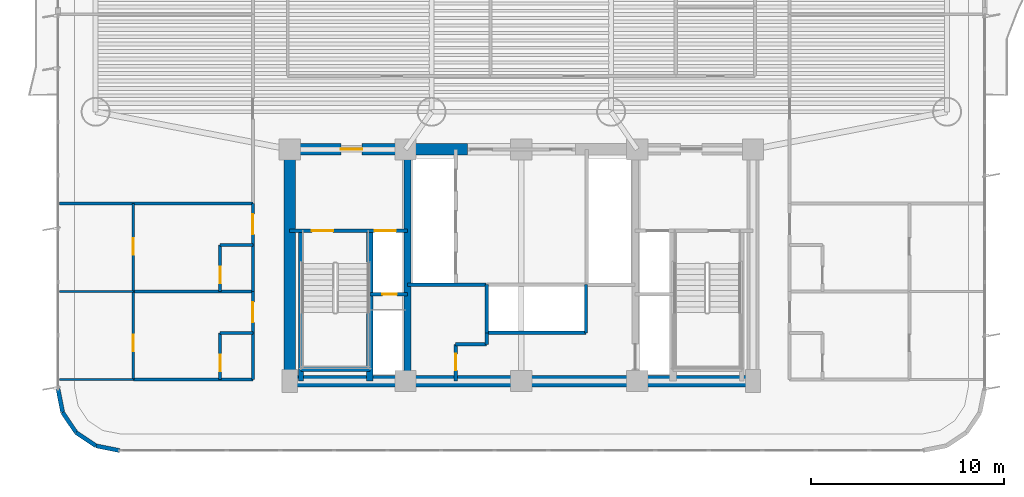
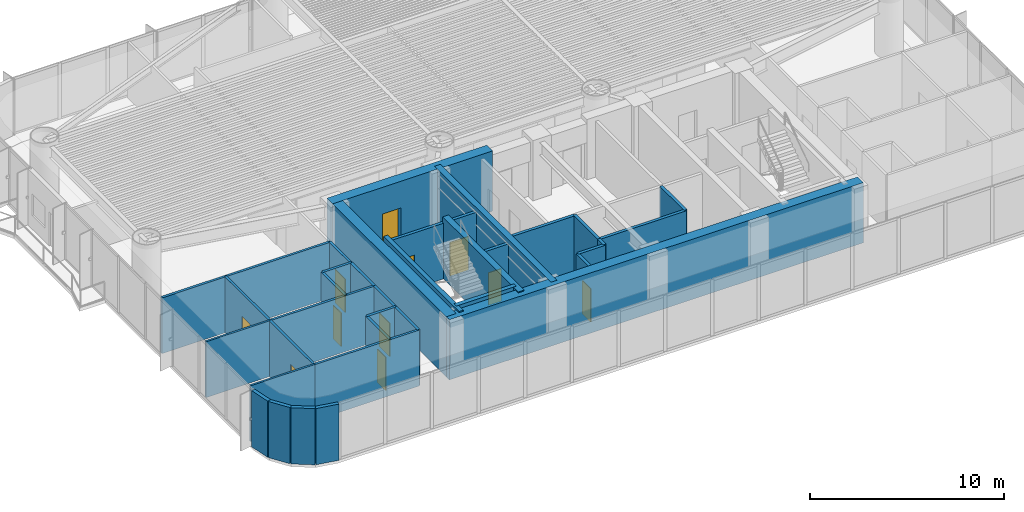
# One storey, part 10 of 17: 35 walls, 11 doors, 11 openings.
"""IFC4 building model written with IfcOpenShell, lengths in metres."""

from ifc_helpers import new_model, si_unit, direction, frame, frame_2d, origin, origin_2d, place, context, subcontext, project, spatial, rectangle, extrude, source, transform, mapped, material, layer, layer_set, type_object, element, fill, save


model = new_model("IFC4")

# Units and contexts
model_context = context("Model", 3, precision=1e-05, world=origin(), true_north=direction((0.0, 1.0)))
body_context = subcontext(model_context, "Body", "Model", "MODEL_VIEW")
ifc_project = project(units=[si_unit("LENGTHUNIT", "METRE"), si_unit("AREAUNIT", "SQUARE_METRE"), si_unit("VOLUMEUNIT", "CUBIC_METRE"), si_unit("PLANEANGLEUNIT", "RADIAN"), si_unit("MASSUNIT", "GRAM", prefix="KILO")], contexts=[model_context])

# Site, building, storey
site_placement = place(None, origin())
site = spatial("IfcSite", under=ifc_project, at=site_placement, CompositionType="ELEMENT")
building_placement = place(site_placement, origin())
building = spatial("IfcBuilding", under=site, at=building_placement, Name="Brelvock Crest Care Tower", CompositionType="ELEMENT")
storey_placement = place(building_placement, frame((0.0, 0.0, 49.679931640625)))
storey = spatial("IfcBuildingStorey", under=building, at=storey_placement, Name="L12", CompositionType="ELEMENT", Elevation=49.679931640625)

# Walls
ifc_material_1 = material(Name="Concrete S80 (80 MPa)", Category="concrete")
ifc_layer_1 = layer(ifc_material_1, 0.60009765625, Name="WL-CS1")
ifc_layer_set_1 = layer_set([ifc_layer_1], Name="Concrete S80 (80 MPa)")
wall_type_1 = type_object("IfcWallType", Name="WL-CS1", PredefinedType="SHEAR", material=ifc_layer_set_1)
wall_1_placement = place(storey_placement, frame((48.300048828125, 6.0, 0.0), z_axis=(0.0, 0.0, 1.0), x_axis=(-1.0, 0.0, 0.0)))
element("IfcWall", 1, at=wall_1_placement, inside=storey, type_object=wall_type_1, Name="L12 Core South Shear Wall", PredefinedType="SHEAR", context=body_context, shape_type="SweptSolid", body=[
    extrude(rectangle(XDim=24.60009765625, YDim=0.60009765625, at=frame_2d((12.300048828125, 0.0))), origin(), (0.0, 0.0, 1.0), 3.780029296875),
])
wall_2_placement = place(storey_placement, frame((24.0, 6.0, 0.0), z_axis=(0.0, 0.0, 1.0), x_axis=(0.0, 1.0, 0.0)))
element("IfcWall", 2, at=wall_2_placement, inside=storey, type_object=wall_type_1, Name="L12 Core West Shear Wall", PredefinedType="SHEAR", context=body_context, shape_type="SweptSolid", body=[
    extrude(rectangle(XDim=12.0, YDim=0.60009765625, at=frame_2d((6.0, 0.0))), origin(), (0.0, 0.0, 1.0), 3.780029296875),
])

# Wall, opening, door
wall_3_placement = place(storey_placement, frame((23.699951171875, 18.0, 0.0), z_axis=(0.0, 0.0, 1.0), x_axis=(1.0, 0.0, 0.0)))
wall_3 = element("IfcWall", 3, at=wall_3_placement, inside=storey, type_object=wall_type_1, Name="L12 Core North-West Shear Wall", PredefinedType="SHEAR", context=body_context, shape_type="SweptSolid", body=[
    extrude(rectangle(XDim=9.5, YDim=0.60009765625, at=frame_2d((4.75, 0.0))), origin(), (0.0, 0.0, 1.0), 3.780029296875),
])
opening_1_placement = place(wall_3_placement, frame((2.949951171875, 0.0, 0.0)))
opening_1 = element("IfcOpeningElement", 4, at=opening_1_placement, cuts=wall_3, Name="Opening FD-1", PredefinedType="OPENING", context=body_context, shape_type="SweptSolid", body=[
    extrude(rectangle(XDim=1.10009765625, YDim=2.10009765625, at=origin_2d()), frame((0.550048828125, 0.31005859375, 1.050048828125), z_axis=(0.0, -1.0, 0.0), x_axis=(1.0, 0.0, 0.0)), (0.0, 0.0, 1.0), 0.6201171875),
])
ifc_material_2 = material(Name="Steel Grade 350", Category="steel")
door_type_1 = type_object("IfcDoorType", Name="DR-FFL1", OperationType="NOTDEFINED", PredefinedType="DOOR", material=ifc_material_2)
shared_shape_1 = source(origin(), body_context, "Body", "SweptSolid", [
    extrude(rectangle(XDim=1.10009765625, YDim=2.10009765625, at=origin_2d()), frame((0.550048828125, 0.02490234375, 1.050048828125), z_axis=(0.0, -1.0, 0.0), x_axis=(1.0, 0.0, 0.0)), (0.0, 0.0, 1.0), 0.050048828125),
])
door_1_placement = place(opening_1_placement, origin())
door_1 = element("IfcDoor", 5, at=door_1_placement, inside=storey, type_object=door_type_1, Name="L12 Firefighting Lobby FFL-1 Exit Door", OperationType="SINGLE_SWING_LEFT", OverallHeight=2.10009765625, OverallWidth=1.10009765625, PredefinedType="DOOR", context=body_context, shape_type="MappedRepresentation", body=[
    mapped(shared_shape_1, transform((0.0, 0.0, 0.0), x_axis=(1.0, 0.0, 0.0), y_axis=(0.0, 1.0, 0.0), z_axis=(0.0, 0.0, 1.0), scale=1.0)),
])
fill(opening_1, door_1)

# Walls
ifc_layer_2 = layer(ifc_material_1, 0.35009765625, Name="WL-CS5")
ifc_layer_set_2 = layer_set([ifc_layer_2], Name="Concrete S80 (80 MPa)")
wall_type_2 = type_object("IfcWallType", Name="WL-CS5", PredefinedType="SHEAR", material=ifc_layer_set_2)
wall_4_placement = place(storey_placement, frame((30.10009765625, 6.0, 0.0), z_axis=(0.0, 0.0, 1.0), x_axis=(0.0, 1.0, 0.0)))
element("IfcWall", 6, at=wall_4_placement, inside=storey, type_object=wall_type_2, Name="L12 Core Internal Web Wall West", PredefinedType="SHEAR", context=body_context, shape_type="SweptSolid", body=[
    extrude(rectangle(XDim=12.0, YDim=0.35009765625, at=frame_2d((6.0, 0.0))), origin(), (0.0, 0.0, 1.0), 3.780029296875),
])
wall_5_placement = place(storey_placement, frame((28.14990234375, 6.0, 0.0), z_axis=(0.0, 0.0, 1.0), x_axis=(0.0, 1.0, 0.0)))
element("IfcWall", 7, at=wall_5_placement, inside=storey, type_object=wall_type_2, Name="L12 Core Stair ST-1 East Shear Wall", PredefinedType="SHEAR", context=body_context, shape_type="SweptSolid", body=[
    extrude(rectangle(XDim=7.780029296875, YDim=0.35009765625, at=frame_2d((3.89013671875, 0.0))), origin(), (0.0, 0.0, 1.0), 3.85009765625),
])
ifc_layer_3 = layer(ifc_material_1, 0.25, Name="WL-CS6")
ifc_layer_set_3 = layer_set([ifc_layer_3], Name="Concrete S80 (80 MPa)")
wall_type_3 = type_object("IfcWallType", Name="WL-CS6", PredefinedType="SHEAR", material=ifc_layer_set_3)
wall_6_placement = place(storey_placement, frame((24.580078125, 6.0, 0.0), z_axis=(0.0, 0.0, 1.0), x_axis=(0.0, 1.0, 0.0)))
element("IfcWall", 8, at=wall_6_placement, inside=storey, type_object=wall_type_3, Name="L12 Core Stair ST-1 West Shear Wall", PredefinedType="SHEAR", context=body_context, shape_type="SweptSolid", body=[
    extrude(rectangle(XDim=7.780029296875, YDim=0.25, at=frame_2d((3.89013671875, 0.0))), origin(), (0.0, 0.0, 1.0), 3.85009765625),
])
wall_7_placement = place(storey_placement, frame((24.580078125, 6.6201171875, 0.0), z_axis=(0.0, 0.0, 1.0), x_axis=(1.0, 0.0, 0.0)))
element("IfcWall", 9, at=wall_7_placement, inside=storey, type_object=wall_type_3, Name="L12 Core Stair ST-1 South Shear Wall", PredefinedType="SHEAR", context=body_context, shape_type="SweptSolid", body=[
    extrude(rectangle(XDim=3.56982421875, YDim=0.25, at=frame_2d((1.784912109375, 0.0))), origin(), (0.0, 0.0, 1.0), 3.85009765625),
])
ifc_material_3 = material(Name="Precast concrete N40 (40 MPa)", Category="concrete")
ifc_layer_4 = layer(ifc_material_3, 0.215087890625, Name="WL-EX2")
ifc_layer_set_4 = layer_set([ifc_layer_4], Name="Precast concrete N40 (40 MPa)")
wall_type_4 = type_object("IfcWallType", Name="WL-EX2", PredefinedType="SOLIDWALL", material=ifc_layer_set_4)
for number, where, z_axis, x_axis, name in (
    (10, (15.199951171875, 2.39990234375, 0.0), (0.0, 0.0, 1.0), (-0.980775717779, 0.195138390419, 0.0), "L12 Rounded Corner Wall 09"),
    (11, (13.975341796875, 2.6435546875, 0.0), (0.0, 0.0, 1.0), (-0.831387912822, 0.555692485475, 0.0), "L12 Rounded Corner Wall 10"),
    (12, (12.937255859375, 3.33740234375, 0.0), (0.0, 0.0, 1.0), (-0.555557312883, 0.831478245117, 0.0), "L12 Rounded Corner Wall 11"),
    (13, (12.24365234375, 4.37548828125, 0.0), (0.0, 0.0, 1.0), (-0.195138390419, 0.980775717779, 0.0), "L12 Rounded Corner Wall 12"),
):
    element("IfcWall", number, at=place(storey_placement, frame(where, z_axis=z_axis, x_axis=x_axis)), inside=storey, type_object=wall_type_4, Name=name, PredefinedType="SOLIDWALL", context=body_context, shape_type="SweptSolid", body=[
        extrude(rectangle(XDim=1.24853515625, YDim=0.215087890625, at=frame_2d((0.624267578125, 0.0))), origin(), (0.0, 0.0, 1.0), 3.530029296875),
    ])
ifc_material_4 = material(Name="Masonry Blockwork Acoustic Partition", Category="masonry")
ifc_layer_5 = layer(ifc_material_4, 0.14990234375, Name="WL-INT1")
ifc_layer_set_5 = layer_set([ifc_layer_5], Name="Masonry Blockwork Acoustic Partition")
wall_type_5 = type_object("IfcWallType", Name="WL-INT1", PredefinedType="PARTITIONING", material=ifc_layer_set_5)
for number, where, z_axis, x_axis, name in (
    (14, (15.89990234375, 6.080078125, 0.0), (0.0, 0.0, 1.0), (1.0, 0.0, 0.0), "L12 Interior Wall WL-BX-L12-CS-WR1A-S"),
    (15, (15.89990234375, 10.639892578125, 0.0), (0.0, 0.0, 1.0), (1.0, 0.0, 0.0), "L12 Interior Wall WL-BX-L12-CS-WR1A-N"),
):
    element("IfcWall", number, at=place(storey_placement, frame(where, z_axis=z_axis, x_axis=x_axis)), inside=storey, type_object=wall_type_5, Name=name, PredefinedType="PARTITIONING", context=body_context, shape_type="SweptSolid", body=[
        extrude(rectangle(XDim=6.2001953125, YDim=0.14990234375, at=frame_2d((3.10009765625, 0.0))), origin(), (0.0, 0.0, 1.0), 3.5),
    ])
wall_8_placement = place(storey_placement, frame((12.080078125, 15.199951171875, 0.0), z_axis=(0.0, 0.0, 1.0), x_axis=(1.0, 0.0, 0.0)))
element("IfcWall", 16, at=wall_8_placement, inside=storey, type_object=wall_type_5, Name="L12 Interior Wall WL-BX-L12-WCL2-S", PredefinedType="PARTITIONING", context=body_context, shape_type="SweptSolid", body=[
    extrude(rectangle(XDim=10.02001953125, YDim=0.14990234375, at=frame_2d((5.010009765625, 0.0))), origin(), (0.0, 0.0, 1.0), 3.5),
])

# Wall, opening, door
wall_9_placement = place(storey_placement, frame((15.89990234375, 6.080078125, 0.0), z_axis=(0.0, 0.0, 1.0), x_axis=(0.0, 1.0, 0.0)))
wall_9 = element("IfcWall", 17, at=wall_9_placement, inside=storey, type_object=wall_type_5, Name="L12 Interior Wall WL-RM-L12-WR1AS", PredefinedType="PARTITIONING", context=body_context, shape_type="SweptSolid", body=[
    extrude(rectangle(XDim=4.559814453125, YDim=0.14990234375, at=frame_2d((2.27978515625, 0.0))), origin(), (0.0, 0.0, 1.0), 3.5),
])
opening_2_placement = place(wall_9_placement, frame((1.4599609375, 0.0, 0.0)))
opening_2 = element("IfcOpeningElement", 18, at=opening_2_placement, cuts=wall_9, Name="Opening ID-1", PredefinedType="OPENING", context=body_context, shape_type="SweptSolid", body=[
    extrude(rectangle(XDim=0.860107421875, YDim=2.10009765625, at=origin_2d()), frame((0.43017578125, 0.0849609375, 1.050048828125), z_axis=(0.0, -1.0, 0.0), x_axis=(1.0, 0.0, 0.0)), (0.0, 0.0, 1.0), 0.169921875),
])
ifc_material_5 = material(Name="Engineered Hardwood Timber", Category="wood")
door_type_2 = type_object("IfcDoorType", Name="DR-INT1", OperationType="NOTDEFINED", PredefinedType="DOOR", material=ifc_material_5)
shared_shape_2 = source(origin(), body_context, "Body", "SweptSolid", [
    extrude(rectangle(XDim=0.860107421875, YDim=2.10009765625, at=origin_2d()), frame((0.43017578125, 0.02490234375, 1.050048828125), z_axis=(0.0, -1.0, 0.0), x_axis=(1.0, 0.0, 0.0)), (0.0, 0.0, 1.0), 0.050048828125),
])
door_2_placement = place(opening_2_placement, origin())
door_2 = element("IfcDoor", 19, at=door_2_placement, inside=storey, type_object=door_type_2, Name="L12 Rehab Recovery Mobility Store Door WR1AS", OperationType="SINGLE_SWING_LEFT", OverallHeight=2.10009765625, OverallWidth=0.860107421875, PredefinedType="DOOR", context=body_context, shape_type="MappedRepresentation", body=[
    mapped(shared_shape_2, transform((0.0, 0.0, 0.0), x_axis=(1.0, 0.0, 0.0), y_axis=(0.0, 1.0, 0.0), z_axis=(0.0, 0.0, 1.0), scale=1.0)),
])
fill(opening_2, door_2)

wall_10_placement = place(storey_placement, frame((15.89990234375, 10.639892578125, 0.0), z_axis=(0.0, 0.0, 1.0), x_axis=(0.0, 1.0, 0.0)))
wall_10 = element("IfcWall", 20, at=wall_10_placement, inside=storey, type_object=wall_type_5, Name="L12 Interior Wall WL-RM-L12-WR1BS", PredefinedType="PARTITIONING", context=body_context, shape_type="SweptSolid", body=[
    extrude(rectangle(XDim=4.56005859375, YDim=0.14990234375, at=frame_2d((2.280029296875, 0.0))), origin(), (0.0, 0.0, 1.0), 3.5),
])
opening_3_placement = place(wall_10_placement, frame((1.89990234375, 0.0, 0.0)))
opening_3 = element("IfcOpeningElement", 21, at=opening_3_placement, cuts=wall_10, Name="Opening ID-1", PredefinedType="OPENING", context=body_context, shape_type="SweptSolid", body=[
    extrude(rectangle(XDim=0.860107421875, YDim=2.10009765625, at=origin_2d()), frame((0.43017578125, 0.0849609375, 1.050048828125), z_axis=(0.0, -1.0, 0.0), x_axis=(1.0, 0.0, 0.0)), (0.0, 0.0, 1.0), 0.169921875),
])
door_3_placement = place(opening_3_placement, origin())
door_3 = element("IfcDoor", 22, at=door_3_placement, inside=storey, type_object=door_type_2, Name="L12 Rehab Recovery Mobility Store Door WR1BS", OperationType="SINGLE_SWING_LEFT", OverallHeight=2.10009765625, OverallWidth=0.860107421875, PredefinedType="DOOR", context=body_context, shape_type="MappedRepresentation", body=[
    mapped(shared_shape_2, transform((0.0, 0.0, 0.0), x_axis=(1.0, 0.0, 0.0), y_axis=(0.0, 1.0, 0.0), z_axis=(0.0, 0.0, 1.0), scale=1.0)),
])
fill(opening_3, door_3)

wall_11_placement = place(storey_placement, frame((22.10009765625, 8.47998046875, 0.0), z_axis=(0.0, 0.0, 1.0), x_axis=(0.0, 1.0, 0.0)))
wall_11 = element("IfcWall", 23, at=wall_11_placement, inside=storey, type_object=wall_type_5, Name="L12 Interior Wall WL-CENT-L12-WR1A", PredefinedType="PARTITIONING", context=body_context, shape_type="SweptSolid", body=[
    extrude(rectangle(XDim=2.159912109375, YDim=0.14990234375, at=frame_2d((1.080078125, 0.0))), origin(), (0.0, 0.0, 1.0), 3.5),
])
opening_4_placement = place(wall_11_placement, frame((0.56005859375, 0.0, 0.0)))
opening_4 = element("IfcOpeningElement", 24, at=opening_4_placement, cuts=wall_11, Name="Opening CD-1", PredefinedType="OPENING", context=body_context, shape_type="SweptSolid", body=[
    extrude(rectangle(XDim=1.050048828125, YDim=2.10009765625, at=origin_2d()), frame((0.52490234375, 0.0849609375, 1.050048828125), z_axis=(0.0, -1.0, 0.0), x_axis=(1.0, 0.0, 0.0)), (0.0, 0.0, 1.0), 0.169921875),
])
door_type_3 = type_object("IfcDoorType", Name="DR-CARE1", OperationType="NOTDEFINED", PredefinedType="DOOR", material=ifc_material_5)
shared_shape_3 = source(origin(), body_context, "Body", "SweptSolid", [
    extrude(rectangle(XDim=1.050048828125, YDim=2.10009765625, at=origin_2d()), frame((0.52490234375, 0.02490234375, 1.050048828125), z_axis=(0.0, -1.0, 0.0), x_axis=(1.0, 0.0, 0.0)), (0.0, 0.0, 1.0), 0.050048828125),
])
door_4_placement = place(opening_4_placement, origin())
door_4 = element("IfcDoor", 25, at=door_4_placement, inside=storey, type_object=door_type_3, Name="L12 Care Suite Door WR1A", OperationType="SINGLE_SWING_LEFT", OverallHeight=2.10009765625, OverallWidth=1.050048828125, PredefinedType="DOOR", context=body_context, shape_type="MappedRepresentation", body=[
    mapped(shared_shape_3, transform((0.0, 0.0, 0.0), x_axis=(1.0, 0.0, 0.0), y_axis=(0.0, 1.0, 0.0), z_axis=(0.0, 0.0, 1.0), scale=1.0)),
])
fill(opening_4, door_4)

wall_12_placement = place(storey_placement, frame((22.10009765625, 13.0400390625, 0.0), z_axis=(0.0, 0.0, 1.0), x_axis=(0.0, 1.0, 0.0)))
wall_12 = element("IfcWall", 26, at=wall_12_placement, inside=storey, type_object=wall_type_5, Name="L12 Interior Wall WL-CENT-L12-WR1B", PredefinedType="PARTITIONING", context=body_context, shape_type="SweptSolid", body=[
    extrude(rectangle(XDim=2.159912109375, YDim=0.14990234375, at=frame_2d((1.080078125, 0.0))), origin(), (0.0, 0.0, 1.0), 3.5),
])
opening_5_placement = place(wall_12_placement, frame((0.56005859375, 0.0, 0.0)))
opening_5 = element("IfcOpeningElement", 27, at=opening_5_placement, cuts=wall_12, Name="Opening CD-1", PredefinedType="OPENING", context=body_context, shape_type="SweptSolid", body=[
    extrude(rectangle(XDim=1.050048828125, YDim=2.10009765625, at=origin_2d()), frame((0.52490234375, 0.0849609375, 1.050048828125), z_axis=(0.0, -1.0, 0.0), x_axis=(1.0, 0.0, 0.0)), (0.0, 0.0, 1.0), 0.169921875),
])
door_5_placement = place(opening_5_placement, origin())
door_5 = element("IfcDoor", 28, at=door_5_placement, inside=storey, type_object=door_type_3, Name="L12 Care Suite Door WR1B", OperationType="SINGLE_SWING_LEFT", OverallHeight=2.10009765625, OverallWidth=1.050048828125, PredefinedType="DOOR", context=body_context, shape_type="MappedRepresentation", body=[
    mapped(shared_shape_3, transform((0.0, 0.0, 0.0), x_axis=(1.0, 0.0, 0.0), y_axis=(0.0, 1.0, 0.0), z_axis=(0.0, 0.0, 1.0), scale=1.0)),
])
fill(opening_5, door_5)

# Walls
ifc_material_6 = material(Name="Gypsum Plasterboard Partition", Category="gypsum")
ifc_layer_6 = layer(ifc_material_6, 0.1201171875, Name="WL-INT2")
ifc_layer_set_6 = layer_set([ifc_layer_6], Name="Gypsum Plasterboard Partition")
wall_type_6 = type_object("IfcWallType", Name="WL-INT2", PredefinedType="PARTITIONING", material=ifc_layer_set_6)
for number, where, z_axis, x_axis, name in (
    (29, (12.080078125, 6.080078125, 0.0), (0.0, 0.0, 1.0), (1.0, 0.0, 0.0), "L12 Interior Wall WL-BX-L12-WR1AS-S"),
    (30, (12.080078125, 10.639892578125, 0.0), (0.0, 0.0, 1.0), (1.0, 0.0, 0.0), "L12 Interior Wall WL-BX-L12-WR1AS-N"),
):
    element("IfcWall", number, at=place(storey_placement, frame(where, z_axis=z_axis, x_axis=x_axis)), inside=storey, type_object=wall_type_6, Name=name, PredefinedType="PARTITIONING", context=body_context, shape_type="SweptSolid", body=[
        extrude(rectangle(XDim=3.81982421875, YDim=0.1201171875, at=frame_2d((1.909912109375, 0.0))), origin(), (0.0, 0.0, 1.0), 3.5),
    ])
ifc_layer_7 = layer(ifc_material_6, 0.159912109375, Name="WL-PLM1")
ifc_layer_set_7 = layer_set([ifc_layer_7], Name="Gypsum Plasterboard Partition")
wall_type_7 = type_object("IfcWallType", Name="WL-PLM1", PredefinedType="PLUMBINGWALL", material=ifc_layer_set_7)
for number, where, z_axis, x_axis, name in (
    (31, (20.39990234375, 8.47998046875, 0.0), (0.0, 0.0, 1.0), (1.0, 0.0, 0.0), "L12 Interior Wall WL-CENS2-L12-WR1A"),
    (32, (20.39990234375, 13.0400390625, 0.0), (0.0, 0.0, 1.0), (1.0, 0.0, 0.0), "L12 Interior Wall WL-CENS2-L12-WR1B"),
):
    element("IfcWall", number, at=place(storey_placement, frame(where, z_axis=z_axis, x_axis=x_axis)), inside=storey, type_object=wall_type_7, Name=name, PredefinedType="PLUMBINGWALL", context=body_context, shape_type="SweptSolid", body=[
        extrude(rectangle(XDim=1.7001953125, YDim=0.159912109375, at=frame_2d((0.85009765625, 0.0))), origin(), (0.0, 0.0, 1.0), 3.5),
    ])

# Wall, opening, door
wall_13_placement = place(storey_placement, frame((20.39990234375, 6.080078125, 0.0), z_axis=(0.0, 0.0, 1.0), x_axis=(0.0, 1.0, 0.0)))
wall_13 = element("IfcWall", 33, at=wall_13_placement, inside=storey, type_object=wall_type_7, Name="L12 Interior Wall WL-CENS1-L12-WR1A", PredefinedType="PLUMBINGWALL", context=body_context, shape_type="SweptSolid", body=[
    extrude(rectangle(XDim=2.39990234375, YDim=0.159912109375, at=frame_2d((1.199951171875, 0.0))), origin(), (0.0, 0.0, 1.0), 3.5),
])
opening_6_placement = place(wall_13_placement, frame((0.419921875, 0.0, 0.0)))
opening_6 = element("IfcOpeningElement", 34, at=opening_6_placement, cuts=wall_13, Name="Opening WD-1", PredefinedType="OPENING", context=body_context, shape_type="SweptSolid", body=[
    extrude(rectangle(XDim=0.860107421875, YDim=2.10009765625, at=origin_2d()), frame((0.43017578125, 0.08984375, 1.050048828125), z_axis=(0.0, -1.0, 0.0), x_axis=(1.0, 0.0, 0.0)), (0.0, 0.0, 1.0), 0.179931640625),
])
door_type_4 = type_object("IfcDoorType", Name="DR-WC1", OperationType="NOTDEFINED", PredefinedType="DOOR", material=ifc_material_5)
shared_shape_4 = source(origin(), body_context, "Body", "SweptSolid", [
    extrude(rectangle(XDim=0.860107421875, YDim=2.10009765625, at=origin_2d()), frame((0.43017578125, 0.02490234375, 1.050048828125), z_axis=(0.0, -1.0, 0.0), x_axis=(1.0, 0.0, 0.0)), (0.0, 0.0, 1.0), 0.050048828125),
])
door_6_placement = place(opening_6_placement, origin())
door_6 = element("IfcDoor", 35, at=door_6_placement, inside=storey, type_object=door_type_4, Name="L12 Care En-Suite Door WR1A", OperationType="SINGLE_SWING_LEFT", OverallHeight=2.10009765625, OverallWidth=0.860107421875, PredefinedType="DOOR", context=body_context, shape_type="MappedRepresentation", body=[
    mapped(shared_shape_4, transform((0.0, 0.0, 0.0), x_axis=(1.0, 0.0, 0.0), y_axis=(0.0, 1.0, 0.0), z_axis=(0.0, 0.0, 1.0), scale=1.0)),
])
fill(opening_6, door_6)

wall_14_placement = place(storey_placement, frame((20.39990234375, 10.639892578125, 0.0), z_axis=(0.0, 0.0, 1.0), x_axis=(0.0, 1.0, 0.0)))
wall_14 = element("IfcWall", 36, at=wall_14_placement, inside=storey, type_object=wall_type_7, Name="L12 Interior Wall WL-CENS1-L12-WR1B", PredefinedType="PLUMBINGWALL", context=body_context, shape_type="SweptSolid", body=[
    extrude(rectangle(XDim=2.400146484375, YDim=0.159912109375, at=frame_2d((1.2001953125, 0.0))), origin(), (0.0, 0.0, 1.0), 3.5),
])
opening_7_placement = place(wall_14_placement, frame((0.419921875, 0.0, 0.0)))
opening_7 = element("IfcOpeningElement", 37, at=opening_7_placement, cuts=wall_14, Name="Opening WD-1", PredefinedType="OPENING", context=body_context, shape_type="SweptSolid", body=[
    extrude(rectangle(XDim=0.860107421875, YDim=2.10009765625, at=origin_2d()), frame((0.43017578125, 0.08984375, 1.050048828125), z_axis=(0.0, -1.0, 0.0), x_axis=(1.0, 0.0, 0.0)), (0.0, 0.0, 1.0), 0.179931640625),
])
door_7_placement = place(opening_7_placement, origin())
door_7 = element("IfcDoor", 38, at=door_7_placement, inside=storey, type_object=door_type_4, Name="L12 Care En-Suite Door WR1B", OperationType="SINGLE_SWING_LEFT", OverallHeight=2.10009765625, OverallWidth=0.860107421875, PredefinedType="DOOR", context=body_context, shape_type="MappedRepresentation", body=[
    mapped(shared_shape_4, transform((0.0, 0.0, 0.0), x_axis=(1.0, 0.0, 0.0), y_axis=(0.0, 1.0, 0.0), z_axis=(0.0, 0.0, 1.0), scale=1.0)),
])
fill(opening_7, door_7)

# Walls
wall_15_placement = place(storey_placement, frame((22.10009765625, 6.080078125, 0.0), z_axis=(0.0, 0.0, 1.0), x_axis=(0.0, 1.0, 0.0)))
element("IfcWall", 39, at=wall_15_placement, inside=storey, type_object=wall_type_7, Name="L12 Interior Wall WL-CENS0-L12-WR1A", PredefinedType="PLUMBINGWALL", context=body_context, shape_type="SweptSolid", body=[
    extrude(rectangle(XDim=2.39990234375, YDim=0.159912109375, at=frame_2d((1.199951171875, 0.0))), origin(), (0.0, 0.0, 1.0), 3.5),
])
wall_16_placement = place(storey_placement, frame((22.10009765625, 10.639892578125, 0.0), z_axis=(0.0, 0.0, 1.0), x_axis=(0.0, 1.0, 0.0)))
element("IfcWall", 40, at=wall_16_placement, inside=storey, type_object=wall_type_7, Name="L12 Interior Wall WL-CENS0-L12-WR1B", PredefinedType="PLUMBINGWALL", context=body_context, shape_type="SweptSolid", body=[
    extrude(rectangle(XDim=2.400146484375, YDim=0.159912109375, at=frame_2d((1.2001953125, 0.0))), origin(), (0.0, 0.0, 1.0), 3.5),
])
ifc_layer_8 = layer(ifc_material_4, 0.179931640625, Name="WL-SHF1")
ifc_layer_set_8 = layer_set([ifc_layer_8], Name="Masonry Blockwork Acoustic Partition")
wall_type_8 = type_object("IfcWallType", Name="WL-SHF1", PredefinedType="PARTITIONING", material=ifc_layer_set_8)
wall_17_placement = place(storey_placement, frame((34.199951171875, 8.5, 0.0), z_axis=(0.0, 0.0, 1.0), x_axis=(1.0, 0.0, 0.0)))
element("IfcWall", 41, at=wall_17_placement, inside=storey, type_object=wall_type_8, Name="L12 Interior Wall WL-PLM-S-L12", PredefinedType="PARTITIONING", context=body_context, shape_type="SweptSolid", body=[
    extrude(rectangle(XDim=5.150146484375, YDim=0.179931640625, at=frame_2d((2.5751953125, 0.0))), origin(), (0.0, 0.0, 1.0), 3.5),
])
for number, where, z_axis, x_axis, name in (
    (42, (34.199951171875, 8.5, 0.0), (0.0, 0.0, 1.0), (0.0, 1.0, 0.0), "L12 Interior Wall WL-PLM-W-L12"),
    (43, (39.35009765625, 8.5, 0.0), (0.0, 0.0, 1.0), (0.0, 1.0, 0.0), "L12 Interior Wall WL-PLM-E-L12"),
):
    element("IfcWall", number, at=place(storey_placement, frame(where, z_axis=z_axis, x_axis=x_axis)), inside=storey, type_object=wall_type_8, Name=name, PredefinedType="PARTITIONING", context=body_context, shape_type="SweptSolid", body=[
        extrude(rectangle(XDim=2.5, YDim=0.179931640625, at=frame_2d((1.25, 0.0))), origin(), (0.0, 0.0, 1.0), 3.5),
    ])
wall_18_placement = place(storey_placement, frame((30.10009765625, 10.97998046875, 0.0), z_axis=(0.0, 0.0, 1.0), x_axis=(1.0, 0.0, 0.0)))
element("IfcWall", 44, at=wall_18_placement, inside=storey, type_object=wall_type_8, Name="L12 Interior Wall WL-CSBW-N-L12", PredefinedType="PARTITIONING", context=body_context, shape_type="SweptSolid", body=[
    extrude(rectangle(XDim=4.079833984375, YDim=0.179931640625, at=frame_2d((2.0400390625, 0.0))), origin(), (0.0, 0.0, 1.0), 3.5),
])
wall_19_placement = place(storey_placement, frame((34.199951171875, 7.89990234375, 0.0), z_axis=(0.0, 0.0, 1.0), x_axis=(0.0, 1.0, 0.0)))
element("IfcWall", 45, at=wall_19_placement, inside=storey, type_object=wall_type_8, Name="L12 Interior Wall WL-CSBW-E2-L12", PredefinedType="PARTITIONING", context=body_context, shape_type="SweptSolid", body=[
    extrude(rectangle(XDim=0.60009765625, YDim=0.179931640625, at=frame_2d((0.300048828125, 0.0))), origin(), (0.0, 0.0, 1.0), 3.5),
])
wall_20_placement = place(storey_placement, frame((32.60009765625, 7.89990234375, 0.0), z_axis=(0.0, 0.0, 1.0), x_axis=(1.0, 0.0, 0.0)))
element("IfcWall", 46, at=wall_20_placement, inside=storey, type_object=wall_type_8, Name="L12 Interior Wall WL-CSBW-S2-L12", PredefinedType="PARTITIONING", context=body_context, shape_type="SweptSolid", body=[
    extrude(rectangle(XDim=1.599853515625, YDim=0.179931640625, at=frame_2d((0.7998046875, 0.0))), origin(), (0.0, 0.0, 1.0), 3.5),
])

# Wall, opening, door
wall_21_placement = place(storey_placement, frame((32.60009765625, 6.0, 0.0), z_axis=(0.0, 0.0, 1.0), x_axis=(0.0, 1.0, 0.0)))
wall_21 = element("IfcWall", 47, at=wall_21_placement, inside=storey, type_object=wall_type_8, Name="L12 Interior Wall WL-CSBW-E1-L12", PredefinedType="PARTITIONING", context=body_context, shape_type="SweptSolid", body=[
    extrude(rectangle(XDim=1.89990234375, YDim=0.179931640625, at=frame_2d((0.949951171875, 0.0))), origin(), (0.0, 0.0, 1.0), 3.5),
])
opening_8_placement = place(wall_21_placement, frame((0.550048828125, 0.0, 0.0)))
opening_8 = element("IfcOpeningElement", 48, at=opening_8_placement, cuts=wall_21, Name="Opening ID-1", PredefinedType="OPENING", context=body_context, shape_type="SweptSolid", body=[
    extrude(rectangle(XDim=0.860107421875, YDim=2.10009765625, at=origin_2d()), frame((0.43017578125, 0.10009765625, 1.050048828125), z_axis=(0.0, -1.0, 0.0), x_axis=(1.0, 0.0, 0.0)), (0.0, 0.0, 1.0), 0.199951171875),
])
door_8_placement = place(opening_8_placement, origin())
door_8 = element("IfcDoor", 49, at=door_8_placement, inside=storey, type_object=door_type_2, Name="DR-CSBW-L12", OperationType="SINGLE_SWING_LEFT", OverallHeight=2.10009765625, OverallWidth=0.860107421875, PredefinedType="DOOR", context=body_context, shape_type="MappedRepresentation", body=[
    mapped(shared_shape_2, transform((0.0, 0.0, 0.0), x_axis=(1.0, 0.0, 0.0), y_axis=(0.0, 1.0, 0.0), z_axis=(0.0, 0.0, 1.0), scale=1.0)),
])
fill(opening_8, door_8)

# Wall, openings, doors
wall_22_placement = place(storey_placement, frame((24.0, 13.780029296875, 0.0), z_axis=(0.0, 0.0, 1.0), x_axis=(1.0, 0.0, 0.0)))
wall_22 = element("IfcWall", 50, at=wall_22_placement, inside=storey, type_object=wall_type_8, Name="L12 Interior Wall WL-ST1-N-L12", PredefinedType="PARTITIONING", context=body_context, shape_type="SweptSolid", body=[
    extrude(rectangle(XDim=6.10009765625, YDim=0.179931640625, at=frame_2d((3.050048828125, 0.0))), origin(), (0.0, 0.0, 1.0), 3.5),
])
opening_9_placement = place(wall_22_placement, frame((1.14990234375, 0.0, 0.0)))
opening_9 = element("IfcOpeningElement", 51, at=opening_9_placement, cuts=wall_22, Name="Opening SD-1", PredefinedType="OPENING", context=body_context, shape_type="SweptSolid", body=[
    extrude(rectangle(XDim=1.10009765625, YDim=2.10009765625, at=origin_2d()), frame((0.550048828125, 0.10009765625, 1.050048828125), z_axis=(0.0, -1.0, 0.0), x_axis=(1.0, 0.0, 0.0)), (0.0, 0.0, 1.0), 0.199951171875),
])
opening_10_placement = place(wall_22_placement, frame((4.39990234375, 0.0, 0.0)))
opening_10 = element("IfcOpeningElement", 52, at=opening_10_placement, cuts=wall_22, Name="Opening LD", PredefinedType="OPENING", context=body_context, shape_type="SweptSolid", body=[
    extrude(rectangle(XDim=1.10009765625, YDim=2.10009765625, at=origin_2d()), frame((0.550048828125, 0.10009765625, 1.050048828125), z_axis=(0.0, -1.0, 0.0), x_axis=(1.0, 0.0, 0.0)), (0.0, 0.0, 1.0), 0.199951171875),
])
door_type_5 = type_object("IfcDoorType", Name="DR-ST1", OperationType="NOTDEFINED", PredefinedType="DOOR", material=ifc_material_2)
shared_shape_5 = source(origin(), body_context, "Body", "SweptSolid", [
    extrude(rectangle(XDim=1.10009765625, YDim=2.10009765625, at=origin_2d()), frame((0.550048828125, 0.02490234375, 1.050048828125), z_axis=(0.0, -1.0, 0.0), x_axis=(1.0, 0.0, 0.0)), (0.0, 0.0, 1.0), 0.050048828125),
])
door_9_placement = place(opening_9_placement, origin())
door_9 = element("IfcDoor", 53, at=door_9_placement, inside=storey, type_object=door_type_5, Name="L12 Fire Stair ST-1 Door", OperationType="SINGLE_SWING_LEFT", OverallHeight=2.10009765625, OverallWidth=1.10009765625, PredefinedType="DOOR", context=body_context, shape_type="MappedRepresentation", body=[
    mapped(shared_shape_5, transform((0.0, 0.0, 0.0), x_axis=(1.0, 0.0, 0.0), y_axis=(0.0, 1.0, 0.0), z_axis=(0.0, 0.0, 1.0), scale=1.0)),
])
fill(opening_9, door_9)
door_type_6 = type_object("IfcDoorType", Name="DR-LD1", OperationType="NOTDEFINED", PredefinedType="DOOR", material=ifc_material_2)
shared_shape_6 = source(origin(), body_context, "Body", "SweptSolid", [
    extrude(rectangle(XDim=1.10009765625, YDim=2.10009765625, at=origin_2d()), frame((0.550048828125, 0.02490234375, 1.050048828125), z_axis=(0.0, -1.0, 0.0), x_axis=(1.0, 0.0, 0.0)), (0.0, 0.0, 1.0), 0.050048828125),
])
door_10_placement = place(opening_10_placement, origin())
door_10 = element("IfcDoor", 54, at=door_10_placement, inside=storey, type_object=door_type_6, Name="L12 Firefighting Lift FFL-1 Landing Door", OperationType="SLIDING_TO_LEFT", OverallHeight=2.10009765625, OverallWidth=1.10009765625, PredefinedType="DOOR", context=body_context, shape_type="MappedRepresentation", body=[
    mapped(shared_shape_6, transform((0.0, 0.0, 0.0), x_axis=(1.0, 0.0, 0.0), y_axis=(0.0, 1.0, 0.0), z_axis=(0.0, 0.0, 1.0), scale=1.0)),
])
fill(opening_10, door_10)

# Wall, opening, door
wall_23_placement = place(storey_placement, frame((28.14990234375, 10.5, 0.0), z_axis=(0.0, 0.0, 1.0), x_axis=(1.0, 0.0, 0.0)))
wall_23 = element("IfcWall", 55, at=wall_23_placement, inside=storey, type_object=wall_type_8, Name="L12 Interior Wall WL-FFH1-S-L12", PredefinedType="PARTITIONING", context=body_context, shape_type="SweptSolid", body=[
    extrude(rectangle(XDim=1.9501953125, YDim=0.179931640625, at=frame_2d((0.97509765625, 0.0))), origin(), (0.0, 0.0, 1.0), 3.5),
])
opening_11_placement = place(wall_23_placement, frame((0.64990234375, 0.0, 0.0)))
opening_11 = element("IfcOpeningElement", 56, at=opening_11_placement, cuts=wall_23, Name="Opening RD-1", PredefinedType="OPENING", context=body_context, shape_type="SweptSolid", body=[
    extrude(rectangle(XDim=0.760009765625, YDim=2.050048828125, at=origin_2d()), frame((0.3798828125, 0.10009765625, 1.02490234375), z_axis=(0.0, -1.0, 0.0), x_axis=(1.0, 0.0, 0.0)), (0.0, 0.0, 1.0), 0.199951171875),
])
door_type_7 = type_object("IfcDoorType", Name="DR-RIS1", OperationType="NOTDEFINED", PredefinedType="DOOR", material=ifc_material_2)
shared_shape_7 = source(origin(), body_context, "Body", "SweptSolid", [
    extrude(rectangle(XDim=0.760009765625, YDim=2.050048828125, at=origin_2d()), frame((0.3798828125, 0.02490234375, 1.02490234375), z_axis=(0.0, -1.0, 0.0), x_axis=(1.0, 0.0, 0.0)), (0.0, 0.0, 1.0), 0.050048828125),
])
door_11_placement = place(opening_11_placement, origin())
door_11 = element("IfcDoor", 57, at=door_11_placement, inside=storey, type_object=door_type_7, Name="L12 Wet Fire Riser Access Door", OperationType="SINGLE_SWING_LEFT", OverallHeight=2.050048828125, OverallWidth=0.760009765625, PredefinedType="DOOR", context=body_context, shape_type="MappedRepresentation", body=[
    mapped(shared_shape_7, transform((0.0, 0.0, 0.0), x_axis=(1.0, 0.0, 0.0), y_axis=(0.0, 1.0, 0.0), z_axis=(0.0, 0.0, 1.0), scale=1.0)),
])
fill(opening_11, door_11)

save(model, "model.ifc")
